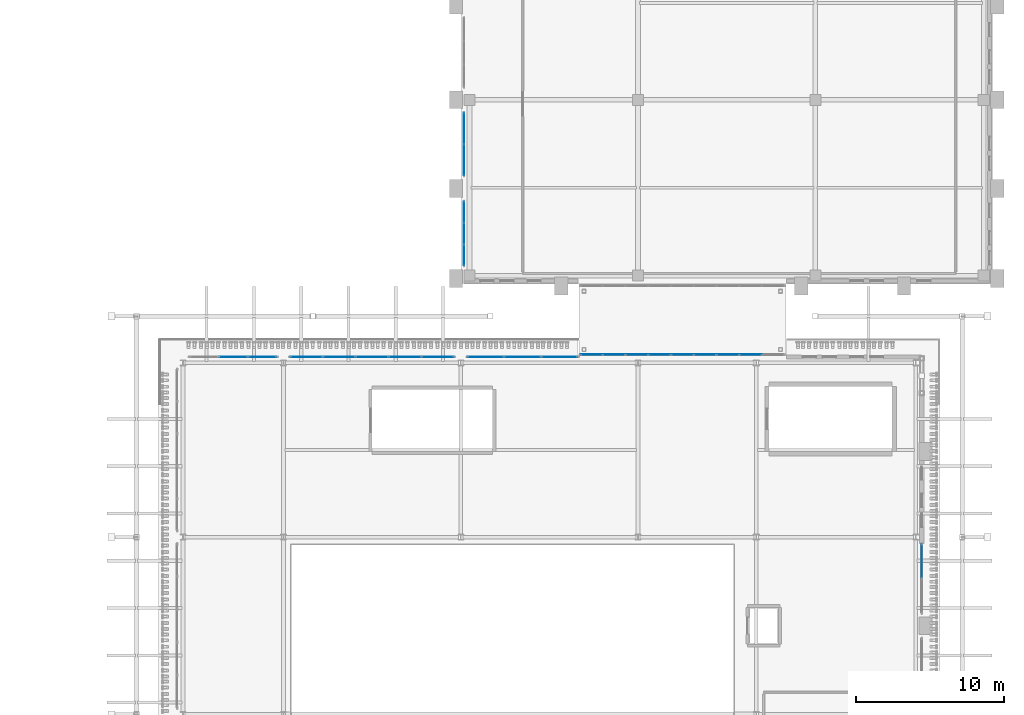
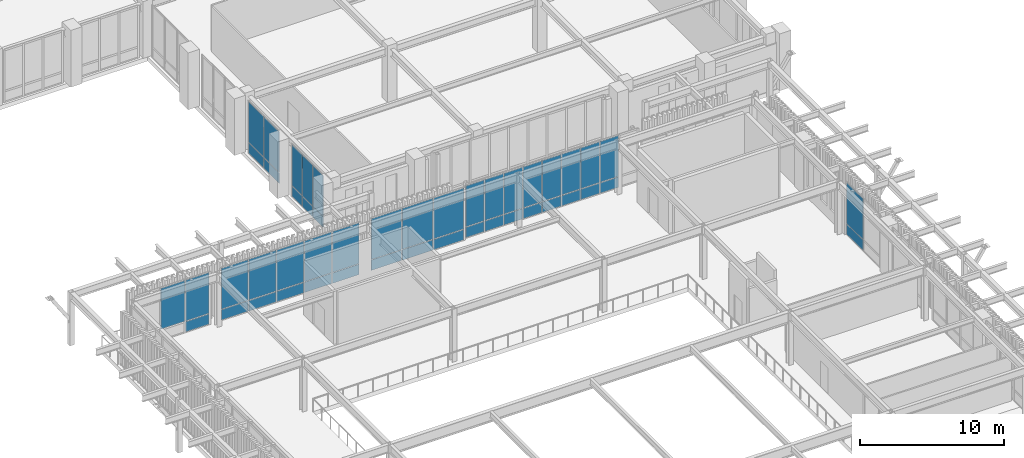
# One storey, part 77 of 126: 47 plates, 7 elements without a shape of their own.
"""IFC4 building model written with IfcOpenShell, lengths in metres."""

from ifc_helpers import new_model, si_unit, derived_unit, direction, frame, origin, origin_2d, place, context, subcontext, project, spatial, rectangle, extrude, material, layer, layer_set, type_object, element, aggregate, save


model = new_model("IFC4")

# Units and contexts
model_context = context("Model", 3, precision=1e-05, world=origin(), true_north=direction((0.0, 1.0)))
body_context = subcontext(model_context, "Body", "Model", "MODEL_VIEW")
ifc_project = project(units=[si_unit("LENGTHUNIT", "METRE"), si_unit("AREAUNIT", "SQUARE_METRE"), si_unit("VOLUMEUNIT", "CUBIC_METRE"), si_unit("PLANEANGLEUNIT", "RADIAN"), si_unit("MASSUNIT", "GRAM", prefix="KILO"), derived_unit("THERMALTRANSMITTANCEUNIT", [(si_unit("MASSUNIT", "GRAM", prefix="KILO"), 1), (si_unit("TIMEUNIT", "SECOND"), -3), (si_unit("THERMODYNAMICTEMPERATUREUNIT", "KELVIN"), -1)])], contexts=[model_context])

# Site, building, storey
site_placement = place(None, origin())
site = spatial("IfcSite", under=ifc_project, at=site_placement, CompositionType="ELEMENT")
building_placement = place(site_placement, origin())
building = spatial("IfcBuilding", under=site, at=building_placement, Name="Valcora Ridge Arena", CompositionType="ELEMENT")
storey_placement = place(building_placement, frame((0.0, 0.0, 11.39990234375)))
storey = spatial("IfcBuildingStorey", under=building, at=storey_placement, Name="L02", CompositionType="ELEMENT", Elevation=11.39990234375)

# Curtain wall, plates
ifc_material_1 = material(Name="Anodised dark bronze architectural aluminium 6063-T6", Category="aluminium")
ifc_layer_1 = layer(ifc_material_1, 0.14990234375, Name="Anodised dark bronze architectural aluminium 6063-T6")
ifc_layer_set_1 = layer_set([ifc_layer_1], Name="Anodised dark bronze architectural aluminium 6063-T6")
curtain_wall_type_1 = type_object("IfcCurtainWallType", Name="TY-CURTAINWALL-CW-V5-MED-044X44", PredefinedType="NOTDEFINED", material=ifc_layer_set_1)
curtain_wall_1_placement = place(storey_placement, origin())
curtain_wall_1 = element("IfcCurtainWall", 1, at=curtain_wall_1_placement, inside=storey, type_object=curtain_wall_type_1, Name="CW-V5-MED-044X44 CW-0332", PredefinedType="NOTDEFINED")
ifc_material_2 = material(Name="Low-iron solar-control double glazing SHGC 0.28", Category="glass")
ifc_layer_2 = layer(ifc_material_2, 0.028076171875, Name="Low-iron solar-control double glazing SHGC 0.28")
ifc_layer_set_2 = layer_set([ifc_layer_2], Name="Low-iron solar-control double glazing SHGC 0.28")
plate_type_1 = type_object("IfcPlateType", Name="TY-PLT-CWP-1398X0875", PredefinedType="CURTAIN_PANEL", material=ifc_layer_set_2)
plate_1_placement = place(storey_placement, frame((156.219970703125, 85.089111328125, 0.050048828125), z_axis=(0.0, 0.0, 1.0), x_axis=(0.0, 1.0, 0.0)))
plate_1 = element("IfcPlate", 2, at=plate_1_placement, type_object=plate_type_1, Name="CW-0332/P00-00", PredefinedType="CURTAIN_PANEL", context=body_context, shape_type="SweptSolid", body=[
    extrude(rectangle(XDim=1.39794921875, YDim=0.028076171875, at=origin_2d()), origin(), (0.0, 0.0, 1.0), 0.875),
])
plate_2_placement = place(storey_placement, frame((156.219970703125, 88.010986328125, 0.050048828125), z_axis=(0.0, 0.0, 1.0), x_axis=(0.0, 1.0, 0.0)))
plate_2 = element("IfcPlate", 3, at=plate_2_placement, type_object=plate_type_1, Name="CW-0332/P02-00", PredefinedType="CURTAIN_PANEL", context=body_context, shape_type="SweptSolid", body=[
    extrude(rectangle(XDim=1.39794921875, YDim=0.028076171875, at=origin_2d()), origin(), (0.0, 0.0, 1.0), 0.875),
])
ifc_layer_3 = layer(ifc_material_2, 0.028076171875, Name="Low-iron solar-control double glazing SHGC 0.28")
ifc_layer_set_3 = layer_set([ifc_layer_3], Name="Low-iron solar-control double glazing SHGC 0.28")
plate_type_2 = type_object("IfcPlateType", Name="TY-PLT-CWP-1398X3425", PredefinedType="CURTAIN_PANEL", material=ifc_layer_set_3)
plate_3_placement = place(storey_placement, frame((156.219970703125, 85.089111328125, 0.97509765625), z_axis=(0.0, 0.0, 1.0), x_axis=(0.0, 1.0, 0.0)))
plate_3 = element("IfcPlate", 4, at=plate_3_placement, type_object=plate_type_2, Name="CW-0332/P00-01", PredefinedType="CURTAIN_PANEL", context=body_context, shape_type="SweptSolid", body=[
    extrude(rectangle(XDim=1.39794921875, YDim=0.028076171875, at=origin_2d()), origin(), (0.0, 0.0, 1.0), 3.425048828125),
])
plate_4_placement = place(storey_placement, frame((156.219970703125, 88.010986328125, 0.97509765625), z_axis=(0.0, 0.0, 1.0), x_axis=(0.0, 1.0, 0.0)))
plate_4 = element("IfcPlate", 5, at=plate_4_placement, type_object=plate_type_2, Name="CW-0332/P02-01", PredefinedType="CURTAIN_PANEL", context=body_context, shape_type="SweptSolid", body=[
    extrude(rectangle(XDim=1.39794921875, YDim=0.028076171875, at=origin_2d()), origin(), (0.0, 0.0, 1.0), 3.425048828125),
])
ifc_layer_4 = layer(ifc_material_2, 0.028076171875, Name="Low-iron solar-control double glazing SHGC 0.28")
ifc_layer_set_4 = layer_set([ifc_layer_4], Name="Low-iron solar-control double glazing SHGC 0.28")
plate_type_3 = type_object("IfcPlateType", Name="TY-PLT-CWP-1424X0875", PredefinedType="CURTAIN_PANEL", material=ifc_layer_set_4)
plate_5_placement = place(storey_placement, frame((156.219970703125, 86.550048828125, 0.050048828125), z_axis=(0.0, 0.0, 1.0), x_axis=(0.0, 1.0, 0.0)))
plate_5 = element("IfcPlate", 6, at=plate_5_placement, type_object=plate_type_3, Name="CW-0332/P01-00", PredefinedType="CURTAIN_PANEL", context=body_context, shape_type="SweptSolid", body=[
    extrude(rectangle(XDim=1.424072265625, YDim=0.028076171875, at=origin_2d()), origin(), (0.0, 0.0, 1.0), 0.875),
])
ifc_layer_5 = layer(ifc_material_2, 0.028076171875, Name="Low-iron solar-control double glazing SHGC 0.28")
ifc_layer_set_5 = layer_set([ifc_layer_5], Name="Low-iron solar-control double glazing SHGC 0.28")
plate_type_4 = type_object("IfcPlateType", Name="TY-PLT-CWP-1424X3425", PredefinedType="CURTAIN_PANEL", material=ifc_layer_set_5)
plate_6_placement = place(storey_placement, frame((156.219970703125, 86.550048828125, 0.97509765625), z_axis=(0.0, 0.0, 1.0), x_axis=(0.0, 1.0, 0.0)))
plate_6 = element("IfcPlate", 7, at=plate_6_placement, type_object=plate_type_4, Name="CW-0332/P01-01", PredefinedType="CURTAIN_PANEL", context=body_context, shape_type="SweptSolid", body=[
    extrude(rectangle(XDim=1.424072265625, YDim=0.028076171875, at=origin_2d()), origin(), (0.0, 0.0, 1.0), 3.425048828125),
])
aggregate(curtain_wall_1, [plate_1, plate_3, plate_5, plate_6, plate_2, plate_4])

ifc_layer_6 = layer(ifc_material_1, 0.14990234375, Name="Anodised dark bronze architectural aluminium 6063-T6")
ifc_layer_set_6 = layer_set([ifc_layer_6], Name="Anodised dark bronze architectural aluminium 6063-T6")
curtain_wall_type_2 = type_object("IfcCurtainWallType", Name="TY-CURTAINWALL-CW-BRG-138X45", PredefinedType="NOTDEFINED", material=ifc_layer_set_6)
curtain_wall_2_placement = place(storey_placement, origin())
curtain_wall_2 = element("IfcCurtainWall", 8, at=curtain_wall_2_placement, inside=storey, type_object=curtain_wall_type_2, Name="CW-BRG-138X45 CW-0358", PredefinedType="NOTDEFINED")
ifc_layer_7 = layer(ifc_material_2, 0.028076171875, Name="Low-iron solar-control double glazing SHGC 0.28")
ifc_layer_set_7 = layer_set([ifc_layer_7], Name="Low-iron solar-control double glazing SHGC 0.28")
plate_type_5 = type_object("IfcPlateType", Name="TY-PLT-CWP-1463X0875", PredefinedType="CURTAIN_PANEL", material=ifc_layer_set_7)
plate_7_placement = place(storey_placement, frame((164.861572265625, 78.35009765625, 0.050048828125), z_axis=(0.0, 0.0, 1.0), x_axis=(1.0, 0.0, 0.0)))
plate_7 = element("IfcPlate", 9, at=plate_7_placement, type_object=plate_type_5, Name="CW-0358/P00-00", PredefinedType="CURTAIN_PANEL", context=body_context, shape_type="SweptSolid", body=[
    extrude(rectangle(XDim=1.462890625, YDim=0.028076171875, at=origin_2d()), origin(), (0.0, 0.0, 1.0), 0.875),
])
ifc_layer_8 = layer(ifc_material_2, 0.028076171875, Name="Low-iron solar-control double glazing SHGC 0.28")
ifc_layer_set_8 = layer_set([ifc_layer_8], Name="Low-iron solar-control double glazing SHGC 0.28")
plate_type_6 = type_object("IfcPlateType", Name="TY-PLT-CWP-1463X3455", PredefinedType="CURTAIN_PANEL", material=ifc_layer_set_8)
plate_8_placement = place(storey_placement, frame((164.861572265625, 78.35009765625, 0.97509765625), z_axis=(0.0, 0.0, 1.0), x_axis=(1.0, 0.0, 0.0)))
plate_8 = element("IfcPlate", 10, at=plate_8_placement, type_object=plate_type_6, Name="CW-0358/P00-01", PredefinedType="CURTAIN_PANEL", context=body_context, shape_type="SweptSolid", body=[
    extrude(rectangle(XDim=1.462890625, YDim=0.028076171875, at=origin_2d()), origin(), (0.0, 0.0, 1.0), 3.455078125),
])
ifc_layer_9 = layer(ifc_material_2, 0.028076171875, Name="Low-iron solar-control double glazing SHGC 0.28")
ifc_layer_set_9 = layer_set([ifc_layer_9], Name="Low-iron solar-control double glazing SHGC 0.28")
plate_type_7 = type_object("IfcPlateType", Name="TY-PLT-CWP-1487X0875", PredefinedType="CURTAIN_PANEL", material=ifc_layer_set_9)
plate_9_placement = place(storey_placement, frame((167.924560546875, 78.35009765625, 0.050048828125), z_axis=(0.0, 0.0, 1.0), x_axis=(1.0, 0.0, 0.0)))
plate_9 = element("IfcPlate", 11, at=plate_9_placement, type_object=plate_type_7, Name="CW-0358/P02-00", PredefinedType="CURTAIN_PANEL", context=body_context, shape_type="SweptSolid", body=[
    extrude(rectangle(XDim=1.487060546875, YDim=0.028076171875, at=origin_2d()), origin(), (0.0, 0.0, 1.0), 0.875),
])
plate_10_placement = place(storey_placement, frame((174.075439453125, 78.35009765625, 0.050048828125), z_axis=(0.0, 0.0, 1.0), x_axis=(1.0, 0.0, 0.0)))
plate_10 = element("IfcPlate", 12, at=plate_10_placement, type_object=plate_type_7, Name="CW-0358/P06-00", PredefinedType="CURTAIN_PANEL", context=body_context, shape_type="SweptSolid", body=[
    extrude(rectangle(XDim=1.487060546875, YDim=0.028076171875, at=origin_2d()), origin(), (0.0, 0.0, 1.0), 0.875),
])
ifc_layer_10 = layer(ifc_material_2, 0.028076171875, Name="Low-iron solar-control double glazing SHGC 0.28")
ifc_layer_set_10 = layer_set([ifc_layer_10], Name="Low-iron solar-control double glazing SHGC 0.28")
plate_type_8 = type_object("IfcPlateType", Name="TY-PLT-CWP-1487X3455", PredefinedType="CURTAIN_PANEL", material=ifc_layer_set_10)
plate_11_placement = place(storey_placement, frame((167.924560546875, 78.35009765625, 0.97509765625), z_axis=(0.0, 0.0, 1.0), x_axis=(1.0, 0.0, 0.0)))
plate_11 = element("IfcPlate", 13, at=plate_11_placement, type_object=plate_type_8, Name="CW-0358/P02-01", PredefinedType="CURTAIN_PANEL", context=body_context, shape_type="SweptSolid", body=[
    extrude(rectangle(XDim=1.487060546875, YDim=0.028076171875, at=origin_2d()), origin(), (0.0, 0.0, 1.0), 3.455078125),
])
plate_12_placement = place(storey_placement, frame((174.075439453125, 78.35009765625, 0.97509765625), z_axis=(0.0, 0.0, 1.0), x_axis=(1.0, 0.0, 0.0)))
plate_12 = element("IfcPlate", 14, at=plate_12_placement, type_object=plate_type_8, Name="CW-0358/P06-01", PredefinedType="CURTAIN_PANEL", context=body_context, shape_type="SweptSolid", body=[
    extrude(rectangle(XDim=1.487060546875, YDim=0.028076171875, at=origin_2d()), origin(), (0.0, 0.0, 1.0), 3.455078125),
])
ifc_layer_11 = layer(ifc_material_2, 0.028076171875, Name="Low-iron solar-control double glazing SHGC 0.28")
ifc_layer_set_11 = layer_set([ifc_layer_11], Name="Low-iron solar-control double glazing SHGC 0.28")
plate_type_9 = type_object("IfcPlateType", Name="TY-PLT-CWP-1488X0875", PredefinedType="CURTAIN_PANEL", material=ifc_layer_set_11)
plate_13_placement = place(storey_placement, frame((166.386962890625, 78.35009765625, 0.050048828125), z_axis=(0.0, 0.0, 1.0), x_axis=(1.0, 0.0, 0.0)))
plate_13 = element("IfcPlate", 15, at=plate_13_placement, type_object=plate_type_9, Name="CW-0358/P01-00", PredefinedType="CURTAIN_PANEL", context=body_context, shape_type="SweptSolid", body=[
    extrude(rectangle(XDim=1.488037109375, YDim=0.028076171875, at=origin_2d()), origin(), (0.0, 0.0, 1.0), 0.875),
])
plate_14_placement = place(storey_placement, frame((169.4619140625, 78.35009765625, 0.050048828125), z_axis=(0.0, 0.0, 1.0), x_axis=(1.0, 0.0, 0.0)))
plate_14 = element("IfcPlate", 16, at=plate_14_placement, type_object=plate_type_9, Name="CW-0358/P03-00", PredefinedType="CURTAIN_PANEL", context=body_context, shape_type="SweptSolid", body=[
    extrude(rectangle(XDim=1.488037109375, YDim=0.028076171875, at=origin_2d()), origin(), (0.0, 0.0, 1.0), 0.875),
])
plate_15_placement = place(storey_placement, frame((171.0, 78.35009765625, 0.050048828125), z_axis=(0.0, 0.0, 1.0), x_axis=(1.0, 0.0, 0.0)))
plate_15 = element("IfcPlate", 17, at=plate_15_placement, type_object=plate_type_9, Name="CW-0358/P04-00", PredefinedType="CURTAIN_PANEL", context=body_context, shape_type="SweptSolid", body=[
    extrude(rectangle(XDim=1.488037109375, YDim=0.028076171875, at=origin_2d()), origin(), (0.0, 0.0, 1.0), 0.875),
])
plate_16_placement = place(storey_placement, frame((172.5380859375, 78.35009765625, 0.050048828125), z_axis=(0.0, 0.0, 1.0), x_axis=(1.0, 0.0, 0.0)))
plate_16 = element("IfcPlate", 18, at=plate_16_placement, type_object=plate_type_9, Name="CW-0358/P05-00", PredefinedType="CURTAIN_PANEL", context=body_context, shape_type="SweptSolid", body=[
    extrude(rectangle(XDim=1.488037109375, YDim=0.028076171875, at=origin_2d()), origin(), (0.0, 0.0, 1.0), 0.875),
])
plate_17_placement = place(storey_placement, frame((175.613037109375, 78.35009765625, 0.050048828125), z_axis=(0.0, 0.0, 1.0), x_axis=(1.0, 0.0, 0.0)))
plate_17 = element("IfcPlate", 19, at=plate_17_placement, type_object=plate_type_9, Name="CW-0358/P07-00", PredefinedType="CURTAIN_PANEL", context=body_context, shape_type="SweptSolid", body=[
    extrude(rectangle(XDim=1.488037109375, YDim=0.028076171875, at=origin_2d()), origin(), (0.0, 0.0, 1.0), 0.875),
])
ifc_layer_12 = layer(ifc_material_2, 0.028076171875, Name="Low-iron solar-control double glazing SHGC 0.28")
ifc_layer_set_12 = layer_set([ifc_layer_12], Name="Low-iron solar-control double glazing SHGC 0.28")
plate_type_10 = type_object("IfcPlateType", Name="TY-PLT-CWP-1488X3455", PredefinedType="CURTAIN_PANEL", material=ifc_layer_set_12)
plate_18_placement = place(storey_placement, frame((166.386962890625, 78.35009765625, 0.97509765625), z_axis=(0.0, 0.0, 1.0), x_axis=(1.0, 0.0, 0.0)))
plate_18 = element("IfcPlate", 20, at=plate_18_placement, type_object=plate_type_10, Name="CW-0358/P01-01", PredefinedType="CURTAIN_PANEL", context=body_context, shape_type="SweptSolid", body=[
    extrude(rectangle(XDim=1.488037109375, YDim=0.028076171875, at=origin_2d()), origin(), (0.0, 0.0, 1.0), 3.455078125),
])
plate_19_placement = place(storey_placement, frame((169.4619140625, 78.35009765625, 0.97509765625), z_axis=(0.0, 0.0, 1.0), x_axis=(1.0, 0.0, 0.0)))
plate_19 = element("IfcPlate", 21, at=plate_19_placement, type_object=plate_type_10, Name="CW-0358/P03-01", PredefinedType="CURTAIN_PANEL", context=body_context, shape_type="SweptSolid", body=[
    extrude(rectangle(XDim=1.488037109375, YDim=0.028076171875, at=origin_2d()), origin(), (0.0, 0.0, 1.0), 3.455078125),
])
plate_20_placement = place(storey_placement, frame((171.0, 78.35009765625, 0.97509765625), z_axis=(0.0, 0.0, 1.0), x_axis=(1.0, 0.0, 0.0)))
plate_20 = element("IfcPlate", 22, at=plate_20_placement, type_object=plate_type_10, Name="CW-0358/P04-01", PredefinedType="CURTAIN_PANEL", context=body_context, shape_type="SweptSolid", body=[
    extrude(rectangle(XDim=1.488037109375, YDim=0.028076171875, at=origin_2d()), origin(), (0.0, 0.0, 1.0), 3.455078125),
])
plate_21_placement = place(storey_placement, frame((172.5380859375, 78.35009765625, 0.97509765625), z_axis=(0.0, 0.0, 1.0), x_axis=(1.0, 0.0, 0.0)))
plate_21 = element("IfcPlate", 23, at=plate_21_placement, type_object=plate_type_10, Name="CW-0358/P05-01", PredefinedType="CURTAIN_PANEL", context=body_context, shape_type="SweptSolid", body=[
    extrude(rectangle(XDim=1.488037109375, YDim=0.028076171875, at=origin_2d()), origin(), (0.0, 0.0, 1.0), 3.455078125),
])
plate_22_placement = place(storey_placement, frame((175.613037109375, 78.35009765625, 0.97509765625), z_axis=(0.0, 0.0, 1.0), x_axis=(1.0, 0.0, 0.0)))
plate_22 = element("IfcPlate", 24, at=plate_22_placement, type_object=plate_type_10, Name="CW-0358/P07-01", PredefinedType="CURTAIN_PANEL", context=body_context, shape_type="SweptSolid", body=[
    extrude(rectangle(XDim=1.488037109375, YDim=0.028076171875, at=origin_2d()), origin(), (0.0, 0.0, 1.0), 3.455078125),
])
aggregate(curtain_wall_2, [plate_7, plate_8, plate_13, plate_18, plate_9, plate_11, plate_14, plate_19, plate_15, plate_20, plate_16, plate_21, plate_10, plate_12, plate_17, plate_22])

ifc_layer_13 = layer(ifc_material_1, 0.179931640625, Name="Anodised dark bronze architectural aluminium 6063-T6")
ifc_layer_set_13 = layer_set([ifc_layer_13], Name="Anodised dark bronze architectural aluminium 6063-T6")
curtain_wall_type_3 = type_object("IfcCurtainWallType", Name="TY-CURTAINWALL-CW-V2-GLAZ-059X45", PredefinedType="NOTDEFINED", material=ifc_layer_set_13)
curtain_wall_3_placement = place(storey_placement, origin())
curtain_wall_3 = element("IfcCurtainWall", 25, at=curtain_wall_3_placement, inside=storey, type_object=curtain_wall_type_3, Name="CW-V2-GLAZ-059X45 CW-0079", PredefinedType="NOTDEFINED")
ifc_layer_14 = layer(ifc_material_2, 0.028076171875, Name="Low-iron solar-control double glazing SHGC 0.28")
ifc_layer_set_14 = layer_set([ifc_layer_14], Name="Low-iron solar-control double glazing SHGC 0.28")
plate_type_11 = type_object("IfcPlateType", Name="TY-PLT-CWP-1892X0875", PredefinedType="CURTAIN_PANEL", material=ifc_layer_set_14)
plate_23_placement = place(storey_placement, frame((142.56689453125, 78.199951171875, 0.050048828125), z_axis=(0.0, 0.0, 1.0), x_axis=(1.0, 0.0, 0.0)))
plate_23 = element("IfcPlate", 26, at=plate_23_placement, type_object=plate_type_11, Name="CW-0079/P02-00", PredefinedType="CURTAIN_PANEL", context=body_context, shape_type="SweptSolid", body=[
    extrude(rectangle(XDim=1.89208984375, YDim=0.028076171875, at=origin_2d()), origin(), (0.0, 0.0, 1.0), 0.875),
])
ifc_layer_15 = layer(ifc_material_2, 0.028076171875, Name="Low-iron solar-control double glazing SHGC 0.28")
ifc_layer_set_15 = layer_set([ifc_layer_15], Name="Low-iron solar-control double glazing SHGC 0.28")
plate_type_12 = type_object("IfcPlateType", Name="TY-PLT-CWP-1892X3455", PredefinedType="CURTAIN_PANEL", material=ifc_layer_set_15)
plate_24_placement = place(storey_placement, frame((142.56689453125, 78.199951171875, 0.97509765625), z_axis=(0.0, 0.0, 1.0), x_axis=(1.0, 0.0, 0.0)))
plate_24 = element("IfcPlate", 27, at=plate_24_placement, type_object=plate_type_12, Name="CW-0079/P02-01", PredefinedType="CURTAIN_PANEL", context=body_context, shape_type="SweptSolid", body=[
    extrude(rectangle(XDim=1.89208984375, YDim=0.028076171875, at=origin_2d()), origin(), (0.0, 0.0, 1.0), 3.455078125),
])
ifc_layer_16 = layer(ifc_material_2, 0.028076171875, Name="Low-iron solar-control double glazing SHGC 0.28")
ifc_layer_set_16 = layer_set([ifc_layer_16], Name="Low-iron solar-control double glazing SHGC 0.28")
plate_type_13 = type_object("IfcPlateType", Name="TY-PLT-CWP-1922X3455", PredefinedType="CURTAIN_PANEL", material=ifc_layer_set_16)
plate_25_placement = place(storey_placement, frame((140.60009765625, 78.199951171875, 0.97509765625), z_axis=(0.0, 0.0, 1.0), x_axis=(1.0, 0.0, 0.0)))
plate_25 = element("IfcPlate", 28, at=plate_25_placement, type_object=plate_type_13, Name="CW-0079/P01-01", PredefinedType="CURTAIN_PANEL", context=body_context, shape_type="SweptSolid", body=[
    extrude(rectangle(XDim=1.922119140625, YDim=0.028076171875, at=origin_2d()), origin(), (0.0, 0.0, 1.0), 3.455078125),
])
aggregate(curtain_wall_3, [plate_25, plate_23, plate_24])

ifc_layer_17 = layer(ifc_material_1, 0.14990234375, Name="Anodised dark bronze architectural aluminium 6063-T6")
ifc_layer_set_17 = layer_set([ifc_layer_17], Name="Anodised dark bronze architectural aluminium 6063-T6")
curtain_wall_type_4 = type_object("IfcCurtainWallType", Name="TY-CURTAINWALL-CW-V5-MED-043X44", PredefinedType="NOTDEFINED", material=ifc_layer_set_17)
curtain_wall_4_placement = place(storey_placement, origin())
curtain_wall_4 = element("IfcCurtainWall", 29, at=curtain_wall_4_placement, inside=storey, type_object=curtain_wall_type_4, Name="CW-V5-MED-043X44 CW-0333", PredefinedType="NOTDEFINED")
ifc_layer_18 = layer(ifc_material_2, 0.028076171875, Name="Low-iron solar-control double glazing SHGC 0.28")
ifc_layer_set_18 = layer_set([ifc_layer_18], Name="Low-iron solar-control double glazing SHGC 0.28")
plate_type_14 = type_object("IfcPlateType", Name="TY-PLT-CWP-2085X0875", PredefinedType="CURTAIN_PANEL", material=ifc_layer_set_18)
plate_26_placement = place(storey_placement, frame((156.219970703125, 91.532470703125, 0.050048828125), z_axis=(0.0, 0.0, 1.0), x_axis=(0.0, 1.0, 0.0)))
plate_26 = element("IfcPlate", 30, at=plate_26_placement, type_object=plate_type_14, Name="CW-0333/P00-00", PredefinedType="CURTAIN_PANEL", context=body_context, shape_type="SweptSolid", body=[
    extrude(rectangle(XDim=2.0849609375, YDim=0.028076171875, at=origin_2d()), origin(), (0.0, 0.0, 1.0), 0.875),
])
plate_27_placement = place(storey_placement, frame((156.219970703125, 93.66748046875, 0.050048828125), z_axis=(0.0, 0.0, 1.0), x_axis=(0.0, 1.0, 0.0)))
plate_27 = element("IfcPlate", 31, at=plate_27_placement, type_object=plate_type_14, Name="CW-0333/P01-00", PredefinedType="CURTAIN_PANEL", context=body_context, shape_type="SweptSolid", body=[
    extrude(rectangle(XDim=2.0849609375, YDim=0.028076171875, at=origin_2d()), origin(), (0.0, 0.0, 1.0), 0.875),
])
ifc_layer_19 = layer(ifc_material_2, 0.028076171875, Name="Low-iron solar-control double glazing SHGC 0.28")
ifc_layer_set_19 = layer_set([ifc_layer_19], Name="Low-iron solar-control double glazing SHGC 0.28")
plate_type_15 = type_object("IfcPlateType", Name="TY-PLT-CWP-2085X3425", PredefinedType="CURTAIN_PANEL", material=ifc_layer_set_19)
plate_28_placement = place(storey_placement, frame((156.219970703125, 91.532470703125, 0.97509765625), z_axis=(0.0, 0.0, 1.0), x_axis=(0.0, 1.0, 0.0)))
plate_28 = element("IfcPlate", 32, at=plate_28_placement, type_object=plate_type_15, Name="CW-0333/P00-01", PredefinedType="CURTAIN_PANEL", context=body_context, shape_type="SweptSolid", body=[
    extrude(rectangle(XDim=2.0849609375, YDim=0.028076171875, at=origin_2d()), origin(), (0.0, 0.0, 1.0), 3.425048828125),
])
plate_29_placement = place(storey_placement, frame((156.219970703125, 93.66748046875, 0.97509765625), z_axis=(0.0, 0.0, 1.0), x_axis=(0.0, 1.0, 0.0)))
plate_29 = element("IfcPlate", 33, at=plate_29_placement, type_object=plate_type_15, Name="CW-0333/P01-01", PredefinedType="CURTAIN_PANEL", context=body_context, shape_type="SweptSolid", body=[
    extrude(rectangle(XDim=2.0849609375, YDim=0.028076171875, at=origin_2d()), origin(), (0.0, 0.0, 1.0), 3.425048828125),
])
aggregate(curtain_wall_4, [plate_26, plate_28, plate_27, plate_29])

ifc_layer_20 = layer(ifc_material_1, 0.179931640625, Name="Anodised dark bronze architectural aluminium 6063-T6")
ifc_layer_set_20 = layer_set([ifc_layer_20], Name="Anodised dark bronze architectural aluminium 6063-T6")
curtain_wall_type_5 = type_object("IfcCurtainWallType", Name="TY-CURTAINWALL-CW-V2-GLAZ-111X45", PredefinedType="NOTDEFINED", material=ifc_layer_set_20)
curtain_wall_5_placement = place(storey_placement, origin())
curtain_wall_5 = element("IfcCurtainWall", 34, at=curtain_wall_5_placement, inside=storey, type_object=curtain_wall_type_5, Name="CW-V2-GLAZ-111X45 CW-0080", PredefinedType="NOTDEFINED")
ifc_layer_21 = layer(ifc_material_2, 0.028076171875, Name="Low-iron solar-control double glazing SHGC 0.28")
ifc_layer_set_21 = layer_set([ifc_layer_21], Name="Low-iron solar-control double glazing SHGC 0.28")
plate_type_16 = type_object("IfcPlateType", Name="TY-PLT-CWP-2139X0875", PredefinedType="CURTAIN_PANEL", material=ifc_layer_set_21)
plate_30_placement = place(storey_placement, frame((145.556396484375, 78.199951171875, 0.050048828125), z_axis=(0.0, 0.0, 1.0), x_axis=(1.0, 0.0, 0.0)))
plate_30 = element("IfcPlate", 35, at=plate_30_placement, type_object=plate_type_16, Name="CW-0080/P00-00", PredefinedType="CURTAIN_PANEL", context=body_context, shape_type="SweptSolid", body=[
    extrude(rectangle(XDim=2.138916015625, YDim=0.028076171875, at=origin_2d()), origin(), (0.0, 0.0, 1.0), 0.875),
])
plate_31_placement = place(storey_placement, frame((154.443603515625, 78.199951171875, 0.050048828125), z_axis=(0.0, 0.0, 1.0), x_axis=(1.0, 0.0, 0.0)))
plate_31 = element("IfcPlate", 36, at=plate_31_placement, type_object=plate_type_16, Name="CW-0080/P04-00", PredefinedType="CURTAIN_PANEL", context=body_context, shape_type="SweptSolid", body=[
    extrude(rectangle(XDim=2.138916015625, YDim=0.028076171875, at=origin_2d()), origin(), (0.0, 0.0, 1.0), 0.875),
])
ifc_layer_22 = layer(ifc_material_2, 0.028076171875, Name="Low-iron solar-control double glazing SHGC 0.28")
ifc_layer_set_22 = layer_set([ifc_layer_22], Name="Low-iron solar-control double glazing SHGC 0.28")
plate_type_17 = type_object("IfcPlateType", Name="TY-PLT-CWP-2139X3455", PredefinedType="CURTAIN_PANEL", material=ifc_layer_set_22)
plate_32_placement = place(storey_placement, frame((145.556396484375, 78.199951171875, 0.97509765625), z_axis=(0.0, 0.0, 1.0), x_axis=(1.0, 0.0, 0.0)))
plate_32 = element("IfcPlate", 37, at=plate_32_placement, type_object=plate_type_17, Name="CW-0080/P00-01", PredefinedType="CURTAIN_PANEL", context=body_context, shape_type="SweptSolid", body=[
    extrude(rectangle(XDim=2.138916015625, YDim=0.028076171875, at=origin_2d()), origin(), (0.0, 0.0, 1.0), 3.455078125),
])
plate_33_placement = place(storey_placement, frame((154.443603515625, 78.199951171875, 0.97509765625), z_axis=(0.0, 0.0, 1.0), x_axis=(1.0, 0.0, 0.0)))
plate_33 = element("IfcPlate", 38, at=plate_33_placement, type_object=plate_type_17, Name="CW-0080/P04-01", PredefinedType="CURTAIN_PANEL", context=body_context, shape_type="SweptSolid", body=[
    extrude(rectangle(XDim=2.138916015625, YDim=0.028076171875, at=origin_2d()), origin(), (0.0, 0.0, 1.0), 3.455078125),
])
ifc_layer_23 = layer(ifc_material_2, 0.028076171875, Name="Low-iron solar-control double glazing SHGC 0.28")
ifc_layer_set_23 = layer_set([ifc_layer_23], Name="Low-iron solar-control double glazing SHGC 0.28")
plate_type_18 = type_object("IfcPlateType", Name="TY-PLT-CWP-2169X0875", PredefinedType="CURTAIN_PANEL", material=ifc_layer_set_23)
plate_34_placement = place(storey_placement, frame((147.7705078125, 78.199951171875, 0.050048828125), z_axis=(0.0, 0.0, 1.0), x_axis=(1.0, 0.0, 0.0)))
plate_34 = element("IfcPlate", 39, at=plate_34_placement, type_object=plate_type_18, Name="CW-0080/P01-00", PredefinedType="CURTAIN_PANEL", context=body_context, shape_type="SweptSolid", body=[
    extrude(rectangle(XDim=2.1689453125, YDim=0.028076171875, at=origin_2d()), origin(), (0.0, 0.0, 1.0), 0.875),
])
plate_35_placement = place(storey_placement, frame((152.2294921875, 78.199951171875, 0.050048828125), z_axis=(0.0, 0.0, 1.0), x_axis=(1.0, 0.0, 0.0)))
plate_35 = element("IfcPlate", 40, at=plate_35_placement, type_object=plate_type_18, Name="CW-0080/P03-00", PredefinedType="CURTAIN_PANEL", context=body_context, shape_type="SweptSolid", body=[
    extrude(rectangle(XDim=2.1689453125, YDim=0.028076171875, at=origin_2d()), origin(), (0.0, 0.0, 1.0), 0.875),
])
ifc_layer_24 = layer(ifc_material_2, 0.028076171875, Name="Low-iron solar-control double glazing SHGC 0.28")
ifc_layer_set_24 = layer_set([ifc_layer_24], Name="Low-iron solar-control double glazing SHGC 0.28")
plate_type_19 = type_object("IfcPlateType", Name="TY-PLT-CWP-2169X3455", PredefinedType="CURTAIN_PANEL", material=ifc_layer_set_24)
plate_36_placement = place(storey_placement, frame((147.7705078125, 78.199951171875, 0.97509765625), z_axis=(0.0, 0.0, 1.0), x_axis=(1.0, 0.0, 0.0)))
plate_36 = element("IfcPlate", 41, at=plate_36_placement, type_object=plate_type_19, Name="CW-0080/P01-01", PredefinedType="CURTAIN_PANEL", context=body_context, shape_type="SweptSolid", body=[
    extrude(rectangle(XDim=2.1689453125, YDim=0.028076171875, at=origin_2d()), origin(), (0.0, 0.0, 1.0), 3.455078125),
])
plate_37_placement = place(storey_placement, frame((152.2294921875, 78.199951171875, 0.97509765625), z_axis=(0.0, 0.0, 1.0), x_axis=(1.0, 0.0, 0.0)))
plate_37 = element("IfcPlate", 42, at=plate_37_placement, type_object=plate_type_19, Name="CW-0080/P03-01", PredefinedType="CURTAIN_PANEL", context=body_context, shape_type="SweptSolid", body=[
    extrude(rectangle(XDim=2.1689453125, YDim=0.028076171875, at=origin_2d()), origin(), (0.0, 0.0, 1.0), 3.455078125),
])
ifc_layer_25 = layer(ifc_material_2, 0.028076171875, Name="Low-iron solar-control double glazing SHGC 0.28")
ifc_layer_set_25 = layer_set([ifc_layer_25], Name="Low-iron solar-control double glazing SHGC 0.28")
plate_type_20 = type_object("IfcPlateType", Name="TY-PLT-CWP-2170X0875", PredefinedType="CURTAIN_PANEL", material=ifc_layer_set_25)
plate_38_placement = place(storey_placement, frame((150.0, 78.199951171875, 0.050048828125), z_axis=(0.0, 0.0, 1.0), x_axis=(1.0, 0.0, 0.0)))
plate_38 = element("IfcPlate", 43, at=plate_38_placement, type_object=plate_type_20, Name="CW-0080/P02-00", PredefinedType="CURTAIN_PANEL", context=body_context, shape_type="SweptSolid", body=[
    extrude(rectangle(XDim=2.169921875, YDim=0.028076171875, at=origin_2d()), origin(), (0.0, 0.0, 1.0), 0.875),
])
ifc_layer_26 = layer(ifc_material_2, 0.028076171875, Name="Low-iron solar-control double glazing SHGC 0.28")
ifc_layer_set_26 = layer_set([ifc_layer_26], Name="Low-iron solar-control double glazing SHGC 0.28")
plate_type_21 = type_object("IfcPlateType", Name="TY-PLT-CWP-2170X3455", PredefinedType="CURTAIN_PANEL", material=ifc_layer_set_26)
plate_39_placement = place(storey_placement, frame((150.0, 78.199951171875, 0.97509765625), z_axis=(0.0, 0.0, 1.0), x_axis=(1.0, 0.0, 0.0)))
plate_39 = element("IfcPlate", 44, at=plate_39_placement, type_object=plate_type_21, Name="CW-0080/P02-01", PredefinedType="CURTAIN_PANEL", context=body_context, shape_type="SweptSolid", body=[
    extrude(rectangle(XDim=2.169921875, YDim=0.028076171875, at=origin_2d()), origin(), (0.0, 0.0, 1.0), 3.455078125),
])
aggregate(curtain_wall_5, [plate_30, plate_32, plate_34, plate_36, plate_38, plate_39, plate_35, plate_37, plate_31, plate_33])

ifc_layer_27 = layer(ifc_material_1, 0.179931640625, Name="Anodised dark bronze architectural aluminium 6063-T6")
ifc_layer_set_27 = layer_set([ifc_layer_27], Name="Anodised dark bronze architectural aluminium 6063-T6")
curtain_wall_type_6 = type_object("IfcCurtainWallType", Name="TY-CURTAINWALL-CW-V2-GLAZ-047X45", PredefinedType="NOTDEFINED", material=ifc_layer_set_27)
curtain_wall_6_placement = place(storey_placement, origin())
curtain_wall_6 = element("IfcCurtainWall", 45, at=curtain_wall_6_placement, inside=storey, type_object=curtain_wall_type_6, Name="CW-V2-GLAZ-047X45 CW-0078", PredefinedType="NOTDEFINED")
ifc_layer_28 = layer(ifc_material_2, 0.028076171875, Name="Low-iron solar-control double glazing SHGC 0.28")
ifc_layer_set_28 = layer_set([ifc_layer_28], Name="Low-iron solar-control double glazing SHGC 0.28")
plate_type_22 = type_object("IfcPlateType", Name="TY-PLT-CWP-2276X0875", PredefinedType="CURTAIN_PANEL", material=ifc_layer_set_28)
plate_40_placement = place(storey_placement, frame((187.199951171875, 64.375, 0.050048828125), z_axis=(0.0, 0.0, 1.0), x_axis=(0.0, 1.0, 0.0)))
plate_40 = element("IfcPlate", 46, at=plate_40_placement, type_object=plate_type_22, Name="CW-0078/P01-00", PredefinedType="CURTAIN_PANEL", context=body_context, shape_type="SweptSolid", body=[
    extrude(rectangle(XDim=2.27587890625, YDim=0.028076171875, at=origin_2d()), origin(), (0.0, 0.0, 1.0), 0.875),
])
ifc_layer_29 = layer(ifc_material_2, 0.028076171875, Name="Low-iron solar-control double glazing SHGC 0.28")
ifc_layer_set_29 = layer_set([ifc_layer_29], Name="Low-iron solar-control double glazing SHGC 0.28")
plate_type_23 = type_object("IfcPlateType", Name="TY-PLT-CWP-2276X3455", PredefinedType="CURTAIN_PANEL", material=ifc_layer_set_29)
plate_41_placement = place(storey_placement, frame((187.199951171875, 64.375, 0.97509765625), z_axis=(0.0, 0.0, 1.0), x_axis=(0.0, 1.0, 0.0)))
plate_41 = element("IfcPlate", 47, at=plate_41_placement, type_object=plate_type_23, Name="CW-0078/P01-01", PredefinedType="CURTAIN_PANEL", context=body_context, shape_type="SweptSolid", body=[
    extrude(rectangle(XDim=2.27587890625, YDim=0.028076171875, at=origin_2d()), origin(), (0.0, 0.0, 1.0), 3.455078125),
])
aggregate(curtain_wall_6, [plate_40, plate_41])

ifc_layer_30 = layer(ifc_material_1, 0.179931640625, Name="Anodised dark bronze architectural aluminium 6063-T6")
ifc_layer_set_30 = layer_set([ifc_layer_30], Name="Anodised dark bronze architectural aluminium 6063-T6")
curtain_wall_type_7 = type_object("IfcCurtainWallType", Name="TY-CURTAINWALL-CW-V2-GLAZ-075X45", PredefinedType="NOTDEFINED", material=ifc_layer_set_30)
curtain_wall_7_placement = place(storey_placement, origin())
curtain_wall_7 = element("IfcCurtainWall", 48, at=curtain_wall_7_placement, inside=storey, type_object=curtain_wall_type_7, Name="CW-V2-GLAZ-075X45 CW-0081", PredefinedType="NOTDEFINED")
ifc_layer_31 = layer(ifc_material_2, 0.028076171875, Name="Low-iron solar-control double glazing SHGC 0.28")
ifc_layer_set_31 = layer_set([ifc_layer_31], Name="Low-iron solar-control double glazing SHGC 0.28")
plate_type_24 = type_object("IfcPlateType", Name="TY-PLT-CWP-2418X0875", PredefinedType="CURTAIN_PANEL", material=ifc_layer_set_31)
plate_42_placement = place(storey_placement, frame((157.696044921875, 78.199951171875, 0.050048828125), z_axis=(0.0, 0.0, 1.0), x_axis=(1.0, 0.0, 0.0)))
plate_42 = element("IfcPlate", 49, at=plate_42_placement, type_object=plate_type_24, Name="CW-0081/P00-00", PredefinedType="CURTAIN_PANEL", context=body_context, shape_type="SweptSolid", body=[
    extrude(rectangle(XDim=2.41796875, YDim=0.028076171875, at=origin_2d()), origin(), (0.0, 0.0, 1.0), 0.875),
])
plate_43_placement = place(storey_placement, frame((162.680908203125, 78.199951171875, 0.050048828125), z_axis=(0.0, 0.0, 1.0), x_axis=(1.0, 0.0, 0.0)))
plate_43 = element("IfcPlate", 50, at=plate_43_placement, type_object=plate_type_24, Name="CW-0081/P02-00", PredefinedType="CURTAIN_PANEL", context=body_context, shape_type="SweptSolid", body=[
    extrude(rectangle(XDim=2.41796875, YDim=0.028076171875, at=origin_2d()), origin(), (0.0, 0.0, 1.0), 0.875),
])
ifc_layer_32 = layer(ifc_material_2, 0.028076171875, Name="Low-iron solar-control double glazing SHGC 0.28")
ifc_layer_set_32 = layer_set([ifc_layer_32], Name="Low-iron solar-control double glazing SHGC 0.28")
plate_type_25 = type_object("IfcPlateType", Name="TY-PLT-CWP-2418X3455", PredefinedType="CURTAIN_PANEL", material=ifc_layer_set_32)
plate_44_placement = place(storey_placement, frame((157.696044921875, 78.199951171875, 0.97509765625), z_axis=(0.0, 0.0, 1.0), x_axis=(1.0, 0.0, 0.0)))
plate_44 = element("IfcPlate", 51, at=plate_44_placement, type_object=plate_type_25, Name="CW-0081/P00-01", PredefinedType="CURTAIN_PANEL", context=body_context, shape_type="SweptSolid", body=[
    extrude(rectangle(XDim=2.41796875, YDim=0.028076171875, at=origin_2d()), origin(), (0.0, 0.0, 1.0), 3.455078125),
])
plate_45_placement = place(storey_placement, frame((162.680908203125, 78.199951171875, 0.97509765625), z_axis=(0.0, 0.0, 1.0), x_axis=(1.0, 0.0, 0.0)))
plate_45 = element("IfcPlate", 52, at=plate_45_placement, type_object=plate_type_25, Name="CW-0081/P02-01", PredefinedType="CURTAIN_PANEL", context=body_context, shape_type="SweptSolid", body=[
    extrude(rectangle(XDim=2.41796875, YDim=0.028076171875, at=origin_2d()), origin(), (0.0, 0.0, 1.0), 3.455078125),
])
ifc_layer_33 = layer(ifc_material_2, 0.028076171875, Name="Low-iron solar-control double glazing SHGC 0.28")
ifc_layer_set_33 = layer_set([ifc_layer_33], Name="Low-iron solar-control double glazing SHGC 0.28")
plate_type_26 = type_object("IfcPlateType", Name="TY-PLT-CWP-2447X0875", PredefinedType="CURTAIN_PANEL", material=ifc_layer_set_33)
plate_46_placement = place(storey_placement, frame((160.1884765625, 78.199951171875, 0.050048828125), z_axis=(0.0, 0.0, 1.0), x_axis=(1.0, 0.0, 0.0)))
plate_46 = element("IfcPlate", 53, at=plate_46_placement, type_object=plate_type_26, Name="CW-0081/P01-00", PredefinedType="CURTAIN_PANEL", context=body_context, shape_type="SweptSolid", body=[
    extrude(rectangle(XDim=2.447021484375, YDim=0.028076171875, at=origin_2d()), origin(), (0.0, 0.0, 1.0), 0.875),
])
ifc_layer_34 = layer(ifc_material_2, 0.028076171875, Name="Low-iron solar-control double glazing SHGC 0.28")
ifc_layer_set_34 = layer_set([ifc_layer_34], Name="Low-iron solar-control double glazing SHGC 0.28")
plate_type_27 = type_object("IfcPlateType", Name="TY-PLT-CWP-2447X3455", PredefinedType="CURTAIN_PANEL", material=ifc_layer_set_34)
plate_47_placement = place(storey_placement, frame((160.1884765625, 78.199951171875, 0.97509765625), z_axis=(0.0, 0.0, 1.0), x_axis=(1.0, 0.0, 0.0)))
plate_47 = element("IfcPlate", 54, at=plate_47_placement, type_object=plate_type_27, Name="CW-0081/P01-01", PredefinedType="CURTAIN_PANEL", context=body_context, shape_type="SweptSolid", body=[
    extrude(rectangle(XDim=2.447021484375, YDim=0.028076171875, at=origin_2d()), origin(), (0.0, 0.0, 1.0), 3.455078125),
])
aggregate(curtain_wall_7, [plate_42, plate_44, plate_46, plate_47, plate_43, plate_45])

save(model, "model.ifc")
